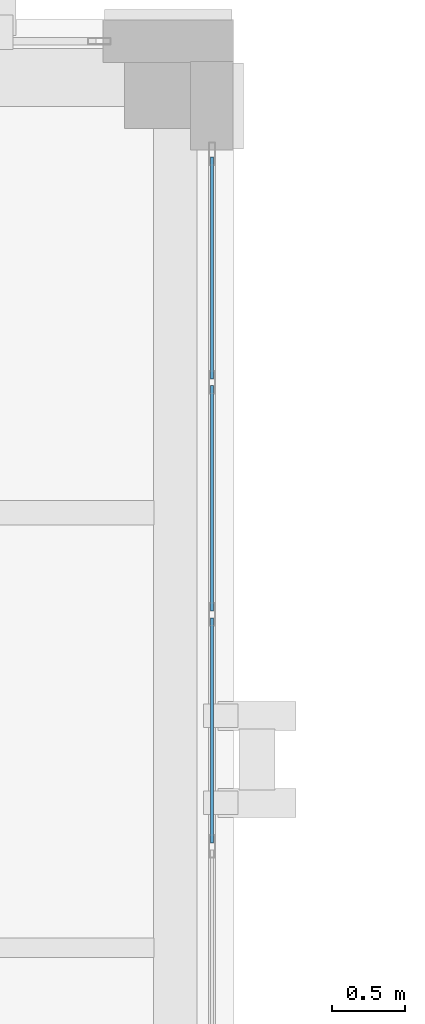
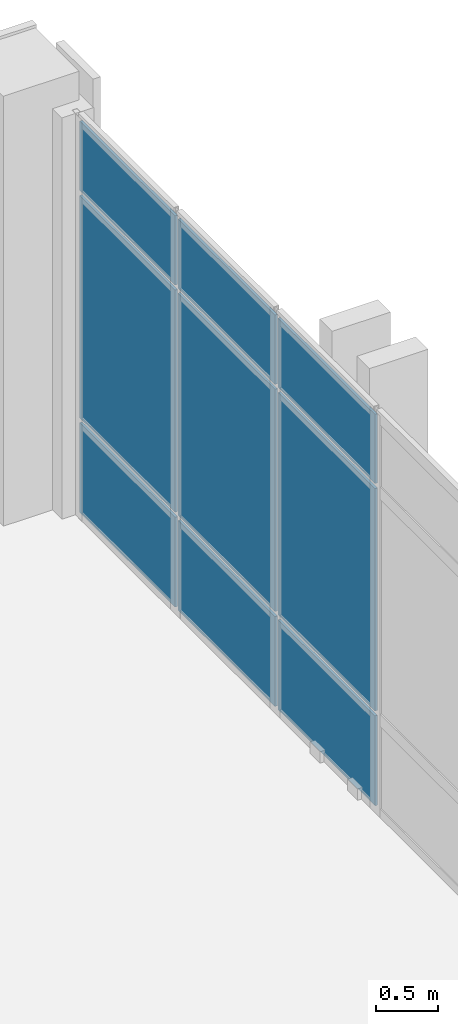
# One storey, part 130 of 165: 9 plates, 1 element without a shape of its own.
"""IFC4 building model written with IfcOpenShell, lengths in metres."""

import ifcopenshell
import ifcopenshell.guid

model = None  # the IFC model being written
_history = None  # IfcOwnerHistory: only IFC2X3 demands one
_inside = {}  # id of a spatial element -> (the spatial element, [elements in it])
_under = {}  # id of a project, library or spatial element -> (it, [spatial elements below it])
_declared = {}  # id of a project -> (the project, [libraries it declares])
_typed = {}  # id of a type object -> (the type object, [elements of that type])
_made_of = {}  # id of a material, layer set ... -> (it, [elements and type objects made of it])


def new_model(schema):
    """Start an empty IFC model of exactly this schema.

    Asked for "IFC4X3", IfcOpenShell would pick the latest addendum, in which some entities
    have other attributes; the version numbers below select the first issue.
    IFC2X3 requires an IfcOwnerHistory on every rooted entity: one is made here for all.
    """
    global model, _history
    if schema == "IFC4X3":
        model = ifcopenshell.file(schema_version=(4, 3, 0, 0))
    else:
        model = ifcopenshell.file(schema=schema)
    _inside.clear()
    _under.clear()
    _declared.clear()
    _typed.clear()
    _made_of.clear()
    _history = None
    if model.schema == "IFC2X3":
        org = make("IfcOrganization", Name="unknown")
        user = make(
            "IfcPersonAndOrganization",
            ThePerson=make("IfcPerson", FamilyName="unknown"),
            TheOrganization=org,
        )
        app = make(
            "IfcApplication",
            ApplicationDeveloper=org,
            Version="unknown",
            ApplicationFullName="unknown",
            ApplicationIdentifier="unknown",
        )
        _history = make(
            "IfcOwnerHistory",
            OwningUser=user,
            OwningApplication=app,
            ChangeAction="ADDED",
            CreationDate=0,
        )
    return model


def make(cls, **values):
    """One entity of the class cls with the attributes given. An attribute that is None is left unset."""
    return model.create_entity(
        cls, **{name: value for name, value in values.items() if value is not None}
    )


def rooted(cls, **values):
    """An entity with a GlobalId (a new one), such as an element, a storey or a relation."""
    return make(cls, GlobalId=ifcopenshell.guid.new(), OwnerHistory=_history, **values)


def si_unit(unit_type, name, prefix=None):
    """IfcSIUnit, for example si_unit("LENGTHUNIT", "METRE", prefix="MILLI")."""
    return make("IfcSIUnit", UnitType=unit_type, Prefix=prefix, Name=name)


def assignment(units):
    """IfcUnitAssignment: the units of a project."""
    return None if units is None else make("IfcUnitAssignment", Units=units)


def point(xyz):
    """IfcCartesianPoint."""
    return None if xyz is None else make("IfcCartesianPoint", Coordinates=xyz)


def direction(xyz):
    """IfcDirection."""
    return None if xyz is None else make("IfcDirection", DirectionRatios=xyz)


def frame(location, z_axis=None, x_axis=None):
    """IfcAxis2Placement3D, a coordinate frame: its origin and axes. An axis left out is left unset."""
    return make(
        "IfcAxis2Placement3D",
        Location=point(location),
        Axis=direction(z_axis),
        RefDirection=direction(x_axis),
    )


def frame_2d(location, x_axis=None):
    """IfcAxis2Placement2D, a coordinate frame in the plane: its origin and x axis."""
    return make(
        "IfcAxis2Placement2D", Location=point(location), RefDirection=direction(x_axis)
    )


def origin():
    """The frame at (0, 0, 0) with its axes left unset."""
    return frame((0.0, 0.0, 0.0))


def origin_2d():
    """The frame at (0, 0) in the plane with its x axis left unset."""
    return frame_2d((0.0, 0.0))


def place(relative_to, where):
    """IfcLocalPlacement: puts the frame where relative to a parent placement (None: the world)."""
    return make(
        "IfcLocalPlacement", PlacementRelTo=relative_to, RelativePlacement=where
    )


def context(
    kind, dimensions, precision=None, world=None, true_north=None, identifier=None
):
    """IfcGeometricRepresentationContext, for example the 3D "Model" context."""
    return make(
        "IfcGeometricRepresentationContext",
        ContextIdentifier=identifier,
        ContextType=kind,
        CoordinateSpaceDimension=dimensions,
        Precision=precision,
        WorldCoordinateSystem=world,
        TrueNorth=true_north,
    )


def subcontext(parent, identifier, kind, view, scale=None):
    """IfcGeometricRepresentationSubContext, for example "Body" below "Model"."""
    return make(
        "IfcGeometricRepresentationSubContext",
        ContextIdentifier=identifier,
        ContextType=kind,
        ParentContext=parent,
        TargetScale=scale,
        TargetView=view,
    )


def project(units=None, contexts=None):
    """IfcProject with its units and contexts."""
    return rooted(
        "IfcProject",
        Name="project",
        RepresentationContexts=contexts,
        UnitsInContext=assignment(units),
    )


def spatial(cls, under=None, at=None, **own):
    """A site, building, storey or space (cls), placed at a placement, below another one or the project."""
    s = rooted(cls, ObjectPlacement=at, **own)
    if under is not None:
        _under.setdefault(under.id(), (under, []))[1].append(s)
    return s


def profile(cls, at=None, kind="AREA", **sizes):
    """A parametric profile (cls). Its sizes go by their IFC names, for example OverallWidth=200.0."""
    return make(cls, ProfileType=kind, Position=at, **sizes)


def rectangle(**sizes):
    """IfcRectangleProfileDef."""
    return profile("IfcRectangleProfileDef", **sizes)


def extrude(swept, where, along, depth):
    """IfcExtrudedAreaSolid: the profile swept, set in the frame where, extruded along a direction by depth."""
    return make(
        "IfcExtrudedAreaSolid",
        SweptArea=swept,
        Position=where,
        ExtrudedDirection=direction(along),
        Depth=depth,
    )


def shape(context_of_items, identifier, shape_type, items):
    """IfcShapeRepresentation: the items that make up one representation, for example the "Body"."""
    return make(
        "IfcShapeRepresentation",
        ContextOfItems=context_of_items,
        RepresentationIdentifier=identifier,
        RepresentationType=shape_type,
        Items=items,
    )


def material(Name=None, Category=None):
    """IfcMaterial."""
    return make("IfcMaterial", Name=Name, Category=Category)


def layer(
    of_material, thickness, ventilated=None, Name=None, Category=None, Priority=None
):
    """IfcMaterialLayer: one layer of a wall or slab, of a material (None: an air gap)."""
    return make(
        "IfcMaterialLayer",
        Material=of_material,
        LayerThickness=thickness,
        IsVentilated=ventilated,
        Name=Name,
        Category=Category,
        Priority=Priority,
    )


def layer_set(layers, Name=None):
    """IfcMaterialLayerSet."""
    return make("IfcMaterialLayerSet", MaterialLayers=layers, LayerSetName=Name)


def made_of(thing, what):
    """Note that an element or type object is made of a material, layer set ...; save() writes the relation."""
    if what is not None:
        _made_of.setdefault(what.id(), (what, []))[1].append(thing)
    return thing


def type_object(cls, material=None, **own):
    """A type object (cls), such as IfcWallType, which elements share."""
    return made_of(rooted(cls, **own), material)


def element(
    cls,
    number,
    at=None,
    inside=None,
    cuts=None,
    type_object=None,
    material=None,
    context=None,
    identifier="Body",
    shape_type=None,
    held_by="IfcProductDefinitionShape",
    body=None,
    shapes=None,
    **own,
):
    """One element of the class cls, such as IfcWall. Its Tag is "e" and its number.

    at: its placement. inside: the storey or other place that contains it. cuts: it is an
    opening in that element (IfcRelVoidsElement). A single representation is given by context,
    identifier, shape_type and body (its items); several are given by shapes. held_by: the class
    of the entity that holds the representations. save() writes the other relations.
    """
    e = rooted(cls, Tag="e%d" % number, ObjectPlacement=at, **own)
    if body is not None:
        shapes = [shape(context, identifier, shape_type, body)]
    if shapes is not None:
        e.Representation = make(held_by, Representations=shapes)
    if inside is not None:
        _inside.setdefault(inside.id(), (inside, []))[1].append(e)
    if cuts is not None:
        rooted(
            "IfcRelVoidsElement", RelatingBuildingElement=cuts, RelatedOpeningElement=e
        )
    if type_object is not None:
        _typed.setdefault(type_object.id(), (type_object, []))[1].append(e)
    return made_of(e, material)


def aggregate(whole, parts):
    """IfcRelAggregates: a whole, such as a stair, and the parts it consists of."""
    return rooted("IfcRelAggregates", RelatingObject=whole, RelatedObjects=parts)


def save(model, path):
    """Write the relations noted so far, then the file.

    IfcRelAggregates (storeys below a building ...), IfcRelContainedInSpatialStructure (elements
    in a storey), IfcRelDefinesByType, IfcRelAssociatesMaterial and IfcRelDeclares: one each for
    every whole, place, type object, material and project.
    """
    for whole, parts in _under.values():
        aggregate(whole, parts)
    for where, things in _inside.values():
        rooted(
            "IfcRelContainedInSpatialStructure",
            RelatedElements=things,
            RelatingStructure=where,
        )
    for kind, things in _typed.values():
        rooted("IfcRelDefinesByType", RelatedObjects=things, RelatingType=kind)
    for what, things in _made_of.values():
        rooted("IfcRelAssociatesMaterial", RelatedObjects=things, RelatingMaterial=what)
    for by, libraries in _declared.values():
        rooted("IfcRelDeclares", RelatingContext=by, RelatedDefinitions=libraries)
    model.write(path)


model = new_model("IFC4")

# Units and contexts
model_context = context("Model", 3, precision=1e-05, world=origin(), true_north=direction((0.0, 1.0)))
body_context = subcontext(model_context, "Body", "Model", "MODEL_VIEW")
ifc_project = project(units=[si_unit("LENGTHUNIT", "METRE"), si_unit("AREAUNIT", "SQUARE_METRE"), si_unit("VOLUMEUNIT", "CUBIC_METRE"), si_unit("PLANEANGLEUNIT", "RADIAN"), si_unit("MASSUNIT", "GRAM", prefix="KILO")], contexts=[model_context])

# Site, building, storey
site_placement = place(None, origin())
site = spatial("IfcSite", under=ifc_project, at=site_placement, CompositionType="ELEMENT")
building_placement = place(site_placement, origin())
building = spatial("IfcBuilding", under=site, at=building_placement, Name="Qalavern Law Courts", CompositionType="ELEMENT")
storey_placement = place(building_placement, frame((0.0, 0.0, 14.39990234375)))
storey = spatial("IfcBuildingStorey", under=building, at=storey_placement, Name="L03", CompositionType="ELEMENT", Elevation=14.39990234375)

# Curtain wall, plates
ifc_material_1 = material(Name="Anodised aluminium and insulated glazing", Category="aluminium")
ifc_layer_1 = layer(ifc_material_1, 0.166015625)
ifc_layer_set_1 = layer_set([ifc_layer_1], Name="Anodised aluminium and insulated glazing")
curtain_wall_type = type_object("IfcCurtainWallType", Name="ENV-CW-LIB", PredefinedType="USERDEFINED", material=ifc_layer_set_1)
curtain_wall_placement = place(storey_placement, origin())
curtain_wall = element("IfcCurtainWall", 1, at=curtain_wall_placement, inside=storey, type_object=curtain_wall_type, Name="V5 unitised curtain wall L03 east 2", ObjectType="UNITISED CURTAIN WALL", PredefinedType="USERDEFINED")
ifc_material_2 = material(Name="Insulated low-E acoustic glazing", Category="glass")
ifc_layer_2 = layer(ifc_material_2, 0.02392578125)
ifc_layer_set_2 = layer_set([ifc_layer_2], Name="Insulated low-E acoustic glazing")
plate_type = type_object("IfcPlateType", Name="ENV-CWP-24", PredefinedType="CURTAIN_PANEL", material=ifc_layer_set_2)
plate_1_placement = place(storey_placement, frame((66.652587890625, 108.10009765625, 0.048095703125), z_axis=(0.0, 0.0, 1.0), x_axis=(0.0, 1.0, 0.0)))
plate_1 = element("IfcPlate", 2, at=plate_1_placement, type_object=plate_type, Name="CW-05 panel 3.1", PredefinedType="CURTAIN_PANEL", context=body_context, shape_type="SweptSolid", body=[
    extrude(rectangle(XDim=1.552001953125, YDim=0.02392578125, at=origin_2d()), origin(), (0.0, 0.0, 1.0), 0.8779296875),
])
plate_2_placement = place(storey_placement, frame((66.652587890625, 108.10009765625, 0.97412109375), z_axis=(0.0, 0.0, 1.0), x_axis=(0.0, 1.0, 0.0)))
plate_2 = element("IfcPlate", 3, at=plate_2_placement, type_object=plate_type, Name="CW-05 panel 3.2", PredefinedType="CURTAIN_PANEL", context=body_context, shape_type="SweptSolid", body=[
    extrude(rectangle(XDim=1.552001953125, YDim=0.02392578125, at=origin_2d()), origin(), (0.0, 0.0, 1.0), 2.172119140625),
])
plate_3_placement = place(storey_placement, frame((66.652587890625, 108.10009765625, 3.1943359375), z_axis=(0.0, 0.0, 1.0), x_axis=(0.0, 1.0, 0.0)))
plate_3 = element("IfcPlate", 4, at=plate_3_placement, type_object=plate_type, Name="CW-05 panel 3.3", PredefinedType="CURTAIN_PANEL", context=body_context, shape_type="SweptSolid", body=[
    extrude(rectangle(XDim=1.552001953125, YDim=0.02392578125, at=origin_2d()), origin(), (0.0, 0.0, 1.0), 0.677978515625),
])
plate_4_placement = place(storey_placement, frame((66.652587890625, 109.699951171875, 0.048095703125), z_axis=(0.0, 0.0, 1.0), x_axis=(0.0, 1.0, 0.0)))
plate_4 = element("IfcPlate", 5, at=plate_4_placement, type_object=plate_type, Name="CW-05 panel 4.1", PredefinedType="CURTAIN_PANEL", context=body_context, shape_type="SweptSolid", body=[
    extrude(rectangle(XDim=1.552001953125, YDim=0.02392578125, at=origin_2d()), origin(), (0.0, 0.0, 1.0), 0.8779296875),
])
plate_5_placement = place(storey_placement, frame((66.652587890625, 109.699951171875, 0.97412109375), z_axis=(0.0, 0.0, 1.0), x_axis=(0.0, 1.0, 0.0)))
plate_5 = element("IfcPlate", 6, at=plate_5_placement, type_object=plate_type, Name="CW-05 panel 4.2", PredefinedType="CURTAIN_PANEL", context=body_context, shape_type="SweptSolid", body=[
    extrude(rectangle(XDim=1.552001953125, YDim=0.02392578125, at=origin_2d()), origin(), (0.0, 0.0, 1.0), 2.172119140625),
])
plate_6_placement = place(storey_placement, frame((66.652587890625, 109.699951171875, 3.1943359375), z_axis=(0.0, 0.0, 1.0), x_axis=(0.0, 1.0, 0.0)))
plate_6 = element("IfcPlate", 7, at=plate_6_placement, type_object=plate_type, Name="CW-05 panel 4.3", PredefinedType="CURTAIN_PANEL", context=body_context, shape_type="SweptSolid", body=[
    extrude(rectangle(XDim=1.552001953125, YDim=0.02392578125, at=origin_2d()), origin(), (0.0, 0.0, 1.0), 0.677978515625),
])
plate_7_placement = place(storey_placement, frame((66.652587890625, 111.2880859375, 0.048095703125), z_axis=(0.0, 0.0, 1.0), x_axis=(0.0, 1.0, 0.0)))
plate_7 = element("IfcPlate", 8, at=plate_7_placement, type_object=plate_type, Name="CW-05 panel 5.1", PredefinedType="CURTAIN_PANEL", context=body_context, shape_type="SweptSolid", body=[
    extrude(rectangle(XDim=1.528076171875, YDim=0.02392578125, at=origin_2d()), origin(), (0.0, 0.0, 1.0), 0.8779296875),
])
plate_8_placement = place(storey_placement, frame((66.652587890625, 111.2880859375, 0.97412109375), z_axis=(0.0, 0.0, 1.0), x_axis=(0.0, 1.0, 0.0)))
plate_8 = element("IfcPlate", 9, at=plate_8_placement, type_object=plate_type, Name="CW-05 panel 5.2", PredefinedType="CURTAIN_PANEL", context=body_context, shape_type="SweptSolid", body=[
    extrude(rectangle(XDim=1.528076171875, YDim=0.02392578125, at=origin_2d()), origin(), (0.0, 0.0, 1.0), 2.172119140625),
])
plate_9_placement = place(storey_placement, frame((66.652587890625, 111.2880859375, 3.1943359375), z_axis=(0.0, 0.0, 1.0), x_axis=(0.0, 1.0, 0.0)))
plate_9 = element("IfcPlate", 10, at=plate_9_placement, type_object=plate_type, Name="CW-05 panel 5.3", PredefinedType="CURTAIN_PANEL", context=body_context, shape_type="SweptSolid", body=[
    extrude(rectangle(XDim=1.528076171875, YDim=0.02392578125, at=origin_2d()), origin(), (0.0, 0.0, 1.0), 0.677978515625),
])
aggregate(curtain_wall, [plate_1, plate_2, plate_3, plate_4, plate_5, plate_6, plate_7, plate_8, plate_9])

save(model, "model.ifc")
